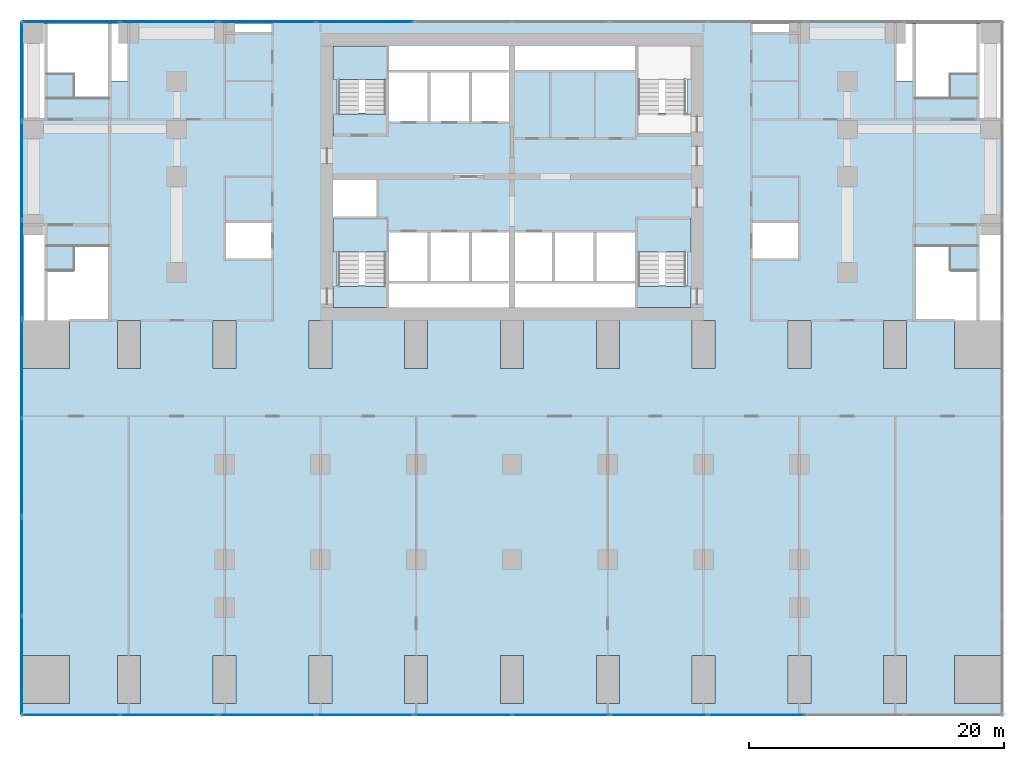
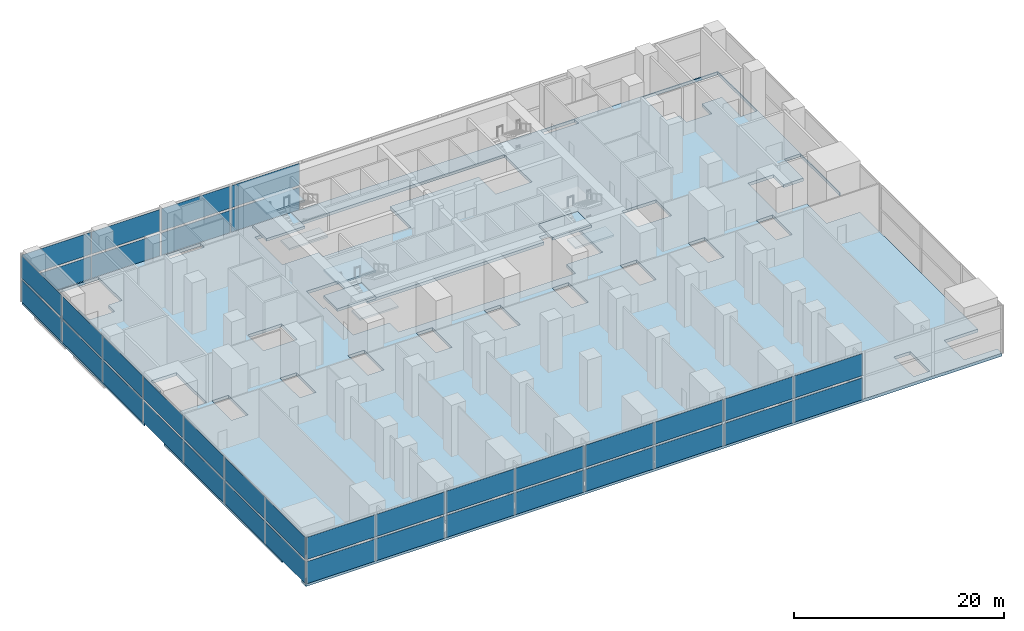
# One storey, part 6 of 14: 38 plates, 9 slabs, 23 elements without a shape of their own.
"""IFC4 building model written with IfcOpenShell, lengths in metres."""

from ifc_helpers import new_model, si_unit, direction, frame, origin, origin_2d, place, context, subcontext, project, spatial, polyline, rectangle, outline, extrude, material, layer, layer_set, type_object, element, aggregate, save


model = new_model("IFC4")

# Units and contexts
model_context = context("Model", 3, precision=1e-05, world=origin(), true_north=direction((0.0, 1.0)))
body_context = subcontext(model_context, "Body", "Model", "MODEL_VIEW")
ifc_project = project(units=[si_unit("LENGTHUNIT", "METRE"), si_unit("AREAUNIT", "SQUARE_METRE"), si_unit("VOLUMEUNIT", "CUBIC_METRE"), si_unit("PLANEANGLEUNIT", "RADIAN"), si_unit("MASSUNIT", "GRAM", prefix="KILO")], contexts=[model_context])

# Site, building, storey
site_placement = place(None, origin())
site = spatial("IfcSite", under=ifc_project, at=site_placement, CompositionType="ELEMENT")
building_placement = place(site_placement, origin())
building = spatial("IfcBuilding", under=site, at=building_placement, Name="Pilkhan Gate Tower", CompositionType="ELEMENT")
storey_placement = place(building_placement, frame((0.0, 0.0, 24.0)))
storey = spatial("IfcBuildingStorey", under=building, at=storey_placement, Name="L03", CompositionType="ELEMENT", Elevation=24.0)

# Slab
ifc_material_1 = material(Name="Concrete C40/50", Category="concrete")
ifc_layer_1 = layer(ifc_material_1, 0.35009765625)
ifc_layer_set_1 = layer_set([ifc_layer_1], Name="Flat plate slab FP350")
slab_type_1 = type_object("IfcSlabType", Name="Flat plate slab FP350", PredefinedType="FLOOR", material=ifc_layer_set_1)
slab_1_placement = place(storey_placement, frame((0.0, 0.0, -0.35009765625)))
element("IfcSlab", 1, at=slab_1_placement, inside=storey, type_object=slab_type_1, Name="Floor slab L03", PredefinedType="FLOOR", context=body_context, shape_type="SweptSolid", body=[
    extrude(outline(polyline([(36.64990234375, 40.39990234375), (36.64990234375, 41.25), (40.35009765625, 41.25), (40.35009765625, 45.0), (36.64990234375, 45.0), (36.64990234375, 67.5), (40.35009765625, 67.5), (40.35009765625, 71.25), (40.699951171875, 71.25), (43.5, 71.25), (43.5, 77.0), (40.699951171875, 77.0), (40.699951171875, 75.10009765625), (38.5, 75.10009765625), (38.5, 78.75), (36.735107421875, 78.75), (36.735107421875, 71.25), (36.64990234375, 71.25), (36.64990234375, 94.60009765625), (113.35009765625, 94.60009765625), (113.35009765625, 71.25), (113.264892578125, 71.25), (113.264892578125, 78.75), (111.5, 78.75), (111.5, 75.10009765625), (109.300048828125, 75.10009765625), (109.300048828125, 77.0), (106.5, 77.0), (106.5, 71.25), (109.300048828125, 71.25), (109.64990234375, 71.25), (109.64990234375, 67.5), (113.35009765625, 67.5), (113.35009765625, 45.0), (109.64990234375, 45.0), (109.64990234375, 41.25), (113.35009765625, 41.25), (113.35009765625, 40.39990234375), (36.64990234375, 40.39990234375)]), holes=[polyline([(109.300048828125, 94.5), (106.5, 94.5), (106.5, 94.514892578125), (105.0, 94.514892578125), (105.0, 90.0), (106.5, 90.0), (106.5, 88.75), (109.300048828125, 88.75), (109.300048828125, 90.64990234375), (111.5, 90.64990234375), (111.5, 87.0), (113.264892578125, 87.0), (113.264892578125, 94.5), (111.5, 94.5), (109.300048828125, 94.5)]), polyline([(105.89990234375, 71.25), (104.10009765625, 71.25), (104.10009765625, 67.5), (105.89990234375, 67.5), (105.89990234375, 71.25)]), polyline([(105.89990234375, 41.25), (105.89990234375, 45.0), (104.10009765625, 45.0), (104.10009765625, 41.25), (105.89990234375, 41.25)]), polyline([(98.39990234375, 67.5), (98.39990234375, 71.25), (96.60009765625, 71.25), (96.60009765625, 67.5), (98.39990234375, 67.5)]), polyline([(98.39990234375, 41.25), (98.39990234375, 45.0), (96.60009765625, 45.0), (96.60009765625, 41.25), (98.39990234375, 41.25)]), polyline([(97.5, 76.0), (97.5, 79.0), (93.75, 79.0), (93.75, 76.0), (97.5, 76.0)]), polyline([(90.89990234375, 45.0), (89.10009765625, 45.0), (89.10009765625, 41.25), (90.89990234375, 41.25), (90.89990234375, 45.0)]), polyline([(90.89990234375, 67.5), (90.89990234375, 71.25), (89.10009765625, 71.25), (89.10009765625, 67.5), (90.89990234375, 67.5)]), polyline([(65.25, 74.0), (65.25, 72.25), (75.0, 72.25), (84.75, 72.25), (84.75, 74.0), (88.75, 74.0), (88.75, 79.25), (84.75, 79.25), (84.75, 78.25), (81.5, 78.25), (78.25, 78.25), (75.0, 78.25), (71.75, 78.25), (68.5, 78.25), (65.25, 78.25), (65.25, 79.25), (64.5, 79.25), (64.5, 82.5), (61.25, 82.5), (61.0, 82.5), (61.0, 79.25), (61.25, 79.25), (61.25, 74.0), (65.25, 74.0)]), polyline([(65.25, 87.5), (65.25, 86.75), (68.5, 86.75), (71.75, 86.75), (75.0, 86.75), (75.0, 90.75), (84.75, 90.75), (84.75, 87.5), (88.75, 87.5), (88.75, 92.75), (84.75, 92.75), (75.0, 92.75), (65.25, 92.75), (61.25, 92.75), (61.25, 87.5), (65.25, 87.5)]), polyline([(83.39990234375, 67.5), (83.39990234375, 71.25), (81.60009765625, 71.25), (81.60009765625, 67.5), (83.39990234375, 67.5)]), polyline([(83.39990234375, 41.25), (83.39990234375, 45.0), (81.60009765625, 45.0), (81.60009765625, 41.25), (83.39990234375, 41.25)]), polyline([(75.89990234375, 41.25), (75.89990234375, 45.0), (74.10009765625, 45.0), (74.10009765625, 41.25), (75.89990234375, 41.25)]), polyline([(75.89990234375, 67.5), (75.89990234375, 71.25), (74.10009765625, 71.25), (74.10009765625, 67.5), (75.89990234375, 67.5)]), polyline([(68.39990234375, 45.0), (66.60009765625, 45.0), (66.60009765625, 41.25), (68.39990234375, 41.25), (68.39990234375, 45.0)]), polyline([(68.39990234375, 67.5), (68.39990234375, 71.25), (66.60009765625, 71.25), (66.60009765625, 67.5), (68.39990234375, 67.5)]), polyline([(60.89990234375, 67.5), (60.89990234375, 71.25), (59.10009765625, 71.25), (59.10009765625, 67.5), (60.89990234375, 67.5)]), polyline([(60.89990234375, 41.25), (60.89990234375, 45.0), (59.10009765625, 45.0), (59.10009765625, 41.25), (60.89990234375, 41.25)]), polyline([(56.25, 79.0), (52.5, 79.0), (52.5, 76.0), (56.25, 76.0), (56.25, 79.0)]), polyline([(53.39990234375, 67.5), (53.39990234375, 71.25), (51.60009765625, 71.25), (51.60009765625, 67.5), (53.39990234375, 67.5)]), polyline([(53.39990234375, 41.25), (53.39990234375, 45.0), (51.60009765625, 45.0), (51.60009765625, 41.25), (53.39990234375, 41.25)]), polyline([(45.89990234375, 45.0), (44.10009765625, 45.0), (44.10009765625, 41.25), (45.89990234375, 41.25), (45.89990234375, 45.0)]), polyline([(45.89990234375, 67.5), (45.89990234375, 71.25), (44.10009765625, 71.25), (44.10009765625, 67.5), (45.89990234375, 67.5)]), polyline([(40.699951171875, 88.75), (43.5, 88.75), (43.5, 90.0), (45.0, 90.0), (45.0, 94.514892578125), (43.5, 94.514892578125), (43.5, 94.5), (40.699951171875, 94.5), (38.5, 94.5), (36.735107421875, 94.5), (36.735107421875, 87.0), (38.5, 87.0), (38.5, 90.64990234375), (40.699951171875, 90.64990234375), (40.699951171875, 88.75)]), polyline([(52.5, 93.75), (56.25, 93.75), (56.25, 94.514892578125), (52.5, 94.514892578125), (52.5, 93.75)]), polyline([(93.75, 93.75), (97.5, 93.75), (97.5, 94.514892578125), (93.75, 94.514892578125), (93.75, 93.75)])]), origin(), (0.0, 0.0, 1.0), 0.35009765625),
])

# Curtain wall, plates
ifc_material_2 = material(Name="Pale anodised aluminium, clear low-iron laminated glazing", Category="aluminium")
curtain_wall_type = type_object("IfcCurtainWallType", Name="Podium unitised curtain wall CW-P", PredefinedType="USERDEFINED", material=ifc_material_2)
curtain_wall_1_placement = place(storey_placement, origin())
curtain_wall_1 = element("IfcCurtainWall", 2, at=curtain_wall_1_placement, inside=storey, type_object=curtain_wall_type, Name="Podium unitised curtain wall CW-P L03 N", ObjectType="UNITISED CURTAIN WALL", PredefinedType="USERDEFINED")
ifc_material_3 = material(Name="Clear low-iron laminated glazing", Category="glass")
ifc_layer_2 = layer(ifc_material_3, 0.048095703125)
ifc_layer_set_2 = layer_set([ifc_layer_2], Name="Glass panel CW-P 48")
plate_type = type_object("IfcPlateType", Name="Glass panel CW-P 48", PredefinedType="CURTAIN_PANEL", material=ifc_layer_set_2)
plate_1_placement = place(storey_placement, frame((40.464599609375, 94.64501953125, 0.0), z_axis=(0.0, 0.0, 1.0), x_axis=(1.0, 0.0, 0.0)))
plate_1 = element("IfcPlate", 3, at=plate_1_placement, type_object=plate_type, Name="CW-P panel 1", PredefinedType="CURTAIN_PANEL", context=body_context, shape_type="SweptSolid", body=[
    extrude(rectangle(XDim=7.55908203125, YDim=0.048095703125, at=origin_2d()), origin(), (0.0, 0.0, 1.0), 2.574951171875),
])
plate_2_placement = place(storey_placement, frame((48.103515625, 94.64501953125, 0.0), z_axis=(0.0, 0.0, 1.0), x_axis=(1.0, 0.0, 0.0)))
plate_2 = element("IfcPlate", 4, at=plate_2_placement, type_object=plate_type, Name="CW-P panel 2", PredefinedType="CURTAIN_PANEL", context=body_context, shape_type="SweptSolid", body=[
    extrude(rectangle(XDim=7.55908203125, YDim=0.048095703125, at=origin_2d()), origin(), (0.0, 0.0, 1.0), 2.574951171875),
])
aggregate(curtain_wall_1, [plate_1, plate_2])

curtain_wall_2_placement = place(storey_placement, origin())
curtain_wall_2 = element("IfcCurtainWall", 5, at=curtain_wall_2_placement, inside=storey, type_object=curtain_wall_type, Name="Podium unitised curtain wall CW-P L03 N", ObjectType="UNITISED CURTAIN WALL", PredefinedType="USERDEFINED")
plate_3_placement = place(storey_placement, frame((55.822509765625, 94.64501953125, 0.0), z_axis=(0.0, 0.0, 1.0), x_axis=(1.0, 0.0, 0.0)))
plate_3 = element("IfcPlate", 6, at=plate_3_placement, type_object=plate_type, Name="CW-P panel 1", PredefinedType="CURTAIN_PANEL", context=body_context, shape_type="SweptSolid", body=[
    extrude(rectangle(XDim=7.55908203125, YDim=0.048095703125, at=origin_2d()), origin(), (0.0, 0.0, 1.0), 2.574951171875),
])
plate_4_placement = place(storey_placement, frame((63.46142578125, 94.64501953125, 0.0), z_axis=(0.0, 0.0, 1.0), x_axis=(1.0, 0.0, 0.0)))
plate_4 = element("IfcPlate", 7, at=plate_4_placement, type_object=plate_type, Name="CW-P panel 2", PredefinedType="CURTAIN_PANEL", context=body_context, shape_type="SweptSolid", body=[
    extrude(rectangle(XDim=7.55908203125, YDim=0.048095703125, at=origin_2d()), origin(), (0.0, 0.0, 1.0), 2.574951171875),
])
aggregate(curtain_wall_2, [plate_3, plate_4])

curtain_wall_3_placement = place(storey_placement, origin())
curtain_wall_3 = element("IfcCurtainWall", 8, at=curtain_wall_3_placement, inside=storey, type_object=curtain_wall_type, Name="Podium unitised curtain wall CW-P L03 N", ObjectType="UNITISED CURTAIN WALL", PredefinedType="USERDEFINED")
plate_5_placement = place(storey_placement, frame((40.464599609375, 94.64501953125, 2.8251953125), z_axis=(0.0, 0.0, 1.0), x_axis=(1.0, 0.0, 0.0)))
plate_5 = element("IfcPlate", 9, at=plate_5_placement, type_object=plate_type, Name="CW-P panel 1", PredefinedType="CURTAIN_PANEL", context=body_context, shape_type="SweptSolid", body=[
    extrude(rectangle(XDim=7.55908203125, YDim=0.048095703125, at=origin_2d()), origin(), (0.0, 0.0, 1.0), 2.574951171875),
])
plate_6_placement = place(storey_placement, frame((48.103515625, 94.64501953125, 2.8251953125), z_axis=(0.0, 0.0, 1.0), x_axis=(1.0, 0.0, 0.0)))
plate_6 = element("IfcPlate", 10, at=plate_6_placement, type_object=plate_type, Name="CW-P panel 2", PredefinedType="CURTAIN_PANEL", context=body_context, shape_type="SweptSolid", body=[
    extrude(rectangle(XDim=7.55908203125, YDim=0.048095703125, at=origin_2d()), origin(), (0.0, 0.0, 1.0), 2.574951171875),
])
aggregate(curtain_wall_3, [plate_5, plate_6])

curtain_wall_4_placement = place(storey_placement, origin())
curtain_wall_4 = element("IfcCurtainWall", 11, at=curtain_wall_4_placement, inside=storey, type_object=curtain_wall_type, Name="Podium unitised curtain wall CW-P L03 N", ObjectType="UNITISED CURTAIN WALL", PredefinedType="USERDEFINED")
plate_7_placement = place(storey_placement, frame((55.822509765625, 94.64501953125, 2.8251953125), z_axis=(0.0, 0.0, 1.0), x_axis=(1.0, 0.0, 0.0)))
plate_7 = element("IfcPlate", 12, at=plate_7_placement, type_object=plate_type, Name="CW-P panel 1", PredefinedType="CURTAIN_PANEL", context=body_context, shape_type="SweptSolid", body=[
    extrude(rectangle(XDim=7.55908203125, YDim=0.048095703125, at=origin_2d()), origin(), (0.0, 0.0, 1.0), 2.574951171875),
])
plate_8_placement = place(storey_placement, frame((63.46142578125, 94.64501953125, 2.8251953125), z_axis=(0.0, 0.0, 1.0), x_axis=(1.0, 0.0, 0.0)))
plate_8 = element("IfcPlate", 13, at=plate_8_placement, type_object=plate_type, Name="CW-P panel 2", PredefinedType="CURTAIN_PANEL", context=body_context, shape_type="SweptSolid", body=[
    extrude(rectangle(XDim=7.55908203125, YDim=0.048095703125, at=origin_2d()), origin(), (0.0, 0.0, 1.0), 2.574951171875),
])
aggregate(curtain_wall_4, [plate_7, plate_8])

curtain_wall_5_placement = place(storey_placement, origin())
curtain_wall_5 = element("IfcCurtainWall", 14, at=curtain_wall_5_placement, inside=storey, type_object=curtain_wall_type, Name="Podium unitised curtain wall CW-P L03 W", ObjectType="UNITISED CURTAIN WALL", PredefinedType="USERDEFINED")
plate_9_placement = place(storey_placement, frame((36.60498046875, 44.2529296875, 0.0), z_axis=(0.0, 0.0, 1.0), x_axis=(0.0, 1.0, 0.0)))
plate_9 = element("IfcPlate", 15, at=plate_9_placement, type_object=plate_type, Name="CW-P panel 1", PredefinedType="CURTAIN_PANEL", context=body_context, shape_type="SweptSolid", body=[
    extrude(rectangle(XDim=7.6357421875, YDim=0.048095703125, at=origin_2d()), origin(), (0.0, 0.0, 1.0), 2.574951171875),
])
plate_10_placement = place(storey_placement, frame((36.60498046875, 51.968505859375, 0.0), z_axis=(0.0, 0.0, 1.0), x_axis=(0.0, 1.0, 0.0)))
plate_10 = element("IfcPlate", 16, at=plate_10_placement, type_object=plate_type, Name="CW-P panel 2", PredefinedType="CURTAIN_PANEL", context=body_context, shape_type="SweptSolid", body=[
    extrude(rectangle(XDim=7.6357421875, YDim=0.048095703125, at=origin_2d()), origin(), (0.0, 0.0, 1.0), 2.574951171875),
])
aggregate(curtain_wall_5, [plate_9, plate_10])

curtain_wall_6_placement = place(storey_placement, origin())
curtain_wall_6 = element("IfcCurtainWall", 17, at=curtain_wall_6_placement, inside=storey, type_object=curtain_wall_type, Name="Podium unitised curtain wall CW-P L03 W", ObjectType="UNITISED CURTAIN WALL", PredefinedType="USERDEFINED")
plate_11_placement = place(storey_placement, frame((36.60498046875, 59.764404296875, 0.0), z_axis=(0.0, 0.0, 1.0), x_axis=(0.0, 1.0, 0.0)))
plate_11 = element("IfcPlate", 18, at=plate_11_placement, type_object=plate_type, Name="CW-P panel 1", PredefinedType="CURTAIN_PANEL", context=body_context, shape_type="SweptSolid", body=[
    extrude(rectangle(XDim=7.6357421875, YDim=0.048095703125, at=origin_2d()), origin(), (0.0, 0.0, 1.0), 2.574951171875),
])
plate_12_placement = place(storey_placement, frame((36.60498046875, 67.47998046875, 0.0), z_axis=(0.0, 0.0, 1.0), x_axis=(0.0, 1.0, 0.0)))
plate_12 = element("IfcPlate", 19, at=plate_12_placement, type_object=plate_type, Name="CW-P panel 2", PredefinedType="CURTAIN_PANEL", context=body_context, shape_type="SweptSolid", body=[
    extrude(rectangle(XDim=7.6357421875, YDim=0.048095703125, at=origin_2d()), origin(), (0.0, 0.0, 1.0), 2.574951171875),
])
aggregate(curtain_wall_6, [plate_11, plate_12])

curtain_wall_7_placement = place(storey_placement, origin())
curtain_wall_7 = element("IfcCurtainWall", 20, at=curtain_wall_7_placement, inside=storey, type_object=curtain_wall_type, Name="Podium unitised curtain wall CW-P L03 W", ObjectType="UNITISED CURTAIN WALL", PredefinedType="USERDEFINED")
plate_13_placement = place(storey_placement, frame((36.60498046875, 75.275634765625, 0.0), z_axis=(0.0, 0.0, 1.0), x_axis=(0.0, 1.0, 0.0)))
plate_13 = element("IfcPlate", 21, at=plate_13_placement, type_object=plate_type, Name="CW-P panel 1", PredefinedType="CURTAIN_PANEL", context=body_context, shape_type="SweptSolid", body=[
    extrude(rectangle(XDim=7.6357421875, YDim=0.048095703125, at=origin_2d()), origin(), (0.0, 0.0, 1.0), 2.574951171875),
])
plate_14_placement = place(storey_placement, frame((36.60498046875, 82.991455078125, 0.0), z_axis=(0.0, 0.0, 1.0), x_axis=(0.0, 1.0, 0.0)))
plate_14 = element("IfcPlate", 22, at=plate_14_placement, type_object=plate_type, Name="CW-P panel 2", PredefinedType="CURTAIN_PANEL", context=body_context, shape_type="SweptSolid", body=[
    extrude(rectangle(XDim=7.6357421875, YDim=0.048095703125, at=origin_2d()), origin(), (0.0, 0.0, 1.0), 2.574951171875),
])
aggregate(curtain_wall_7, [plate_13, plate_14])

# Curtain wall, plate
curtain_wall_8_placement = place(storey_placement, origin())
curtain_wall_8 = element("IfcCurtainWall", 23, at=curtain_wall_8_placement, inside=storey, type_object=curtain_wall_type, Name="Podium unitised curtain wall CW-P L03 W", ObjectType="UNITISED CURTAIN WALL", PredefinedType="USERDEFINED")
plate_15_placement = place(storey_placement, frame((36.60498046875, 90.76708984375, 0.0), z_axis=(0.0, 0.0, 1.0), x_axis=(0.0, 1.0, 0.0)))
plate_15 = element("IfcPlate", 24, at=plate_15_placement, type_object=plate_type, Name="CW-P panel 1", PredefinedType="CURTAIN_PANEL", context=body_context, shape_type="SweptSolid", body=[
    extrude(rectangle(XDim=7.595703125, YDim=0.048095703125, at=origin_2d()), origin(), (0.0, 0.0, 1.0), 2.574951171875),
])
aggregate(curtain_wall_8, [plate_15])

# Curtain wall, plates
curtain_wall_9_placement = place(storey_placement, origin())
curtain_wall_9 = element("IfcCurtainWall", 25, at=curtain_wall_9_placement, inside=storey, type_object=curtain_wall_type, Name="Podium unitised curtain wall CW-P L03 W", ObjectType="UNITISED CURTAIN WALL", PredefinedType="USERDEFINED")
plate_16_placement = place(storey_placement, frame((36.60498046875, 44.2529296875, 2.8251953125), z_axis=(0.0, 0.0, 1.0), x_axis=(0.0, 1.0, 0.0)))
plate_16 = element("IfcPlate", 26, at=plate_16_placement, type_object=plate_type, Name="CW-P panel 1", PredefinedType="CURTAIN_PANEL", context=body_context, shape_type="SweptSolid", body=[
    extrude(rectangle(XDim=7.6357421875, YDim=0.048095703125, at=origin_2d()), origin(), (0.0, 0.0, 1.0), 2.574951171875),
])
plate_17_placement = place(storey_placement, frame((36.60498046875, 51.968505859375, 2.8251953125), z_axis=(0.0, 0.0, 1.0), x_axis=(0.0, 1.0, 0.0)))
plate_17 = element("IfcPlate", 27, at=plate_17_placement, type_object=plate_type, Name="CW-P panel 2", PredefinedType="CURTAIN_PANEL", context=body_context, shape_type="SweptSolid", body=[
    extrude(rectangle(XDim=7.6357421875, YDim=0.048095703125, at=origin_2d()), origin(), (0.0, 0.0, 1.0), 2.574951171875),
])
aggregate(curtain_wall_9, [plate_16, plate_17])

curtain_wall_10_placement = place(storey_placement, origin())
curtain_wall_10 = element("IfcCurtainWall", 28, at=curtain_wall_10_placement, inside=storey, type_object=curtain_wall_type, Name="Podium unitised curtain wall CW-P L03 W", ObjectType="UNITISED CURTAIN WALL", PredefinedType="USERDEFINED")
plate_18_placement = place(storey_placement, frame((36.60498046875, 59.764404296875, 2.8251953125), z_axis=(0.0, 0.0, 1.0), x_axis=(0.0, 1.0, 0.0)))
plate_18 = element("IfcPlate", 29, at=plate_18_placement, type_object=plate_type, Name="CW-P panel 1", PredefinedType="CURTAIN_PANEL", context=body_context, shape_type="SweptSolid", body=[
    extrude(rectangle(XDim=7.6357421875, YDim=0.048095703125, at=origin_2d()), origin(), (0.0, 0.0, 1.0), 2.574951171875),
])
plate_19_placement = place(storey_placement, frame((36.60498046875, 67.47998046875, 2.8251953125), z_axis=(0.0, 0.0, 1.0), x_axis=(0.0, 1.0, 0.0)))
plate_19 = element("IfcPlate", 30, at=plate_19_placement, type_object=plate_type, Name="CW-P panel 2", PredefinedType="CURTAIN_PANEL", context=body_context, shape_type="SweptSolid", body=[
    extrude(rectangle(XDim=7.6357421875, YDim=0.048095703125, at=origin_2d()), origin(), (0.0, 0.0, 1.0), 2.574951171875),
])
aggregate(curtain_wall_10, [plate_18, plate_19])

curtain_wall_11_placement = place(storey_placement, origin())
curtain_wall_11 = element("IfcCurtainWall", 31, at=curtain_wall_11_placement, inside=storey, type_object=curtain_wall_type, Name="Podium unitised curtain wall CW-P L03 W", ObjectType="UNITISED CURTAIN WALL", PredefinedType="USERDEFINED")
plate_20_placement = place(storey_placement, frame((36.60498046875, 75.275634765625, 2.8251953125), z_axis=(0.0, 0.0, 1.0), x_axis=(0.0, 1.0, 0.0)))
plate_20 = element("IfcPlate", 32, at=plate_20_placement, type_object=plate_type, Name="CW-P panel 1", PredefinedType="CURTAIN_PANEL", context=body_context, shape_type="SweptSolid", body=[
    extrude(rectangle(XDim=7.6357421875, YDim=0.048095703125, at=origin_2d()), origin(), (0.0, 0.0, 1.0), 2.574951171875),
])
plate_21_placement = place(storey_placement, frame((36.60498046875, 82.991455078125, 2.8251953125), z_axis=(0.0, 0.0, 1.0), x_axis=(0.0, 1.0, 0.0)))
plate_21 = element("IfcPlate", 33, at=plate_21_placement, type_object=plate_type, Name="CW-P panel 2", PredefinedType="CURTAIN_PANEL", context=body_context, shape_type="SweptSolid", body=[
    extrude(rectangle(XDim=7.6357421875, YDim=0.048095703125, at=origin_2d()), origin(), (0.0, 0.0, 1.0), 2.574951171875),
])
aggregate(curtain_wall_11, [plate_20, plate_21])

# Curtain wall, plate
curtain_wall_12_placement = place(storey_placement, origin())
curtain_wall_12 = element("IfcCurtainWall", 34, at=curtain_wall_12_placement, inside=storey, type_object=curtain_wall_type, Name="Podium unitised curtain wall CW-P L03 W", ObjectType="UNITISED CURTAIN WALL", PredefinedType="USERDEFINED")
plate_22_placement = place(storey_placement, frame((36.60498046875, 90.76708984375, 2.8251953125), z_axis=(0.0, 0.0, 1.0), x_axis=(0.0, 1.0, 0.0)))
plate_22 = element("IfcPlate", 35, at=plate_22_placement, type_object=plate_type, Name="CW-P panel 1", PredefinedType="CURTAIN_PANEL", context=body_context, shape_type="SweptSolid", body=[
    extrude(rectangle(XDim=7.595703125, YDim=0.048095703125, at=origin_2d()), origin(), (0.0, 0.0, 1.0), 2.574951171875),
])
aggregate(curtain_wall_12, [plate_22])

# Curtain wall, plates
curtain_wall_13_placement = place(storey_placement, origin())
curtain_wall_13 = element("IfcCurtainWall", 36, at=curtain_wall_13_placement, inside=storey, type_object=curtain_wall_type, Name="Podium unitised curtain wall CW-P L03 S", ObjectType="UNITISED CURTAIN WALL", PredefinedType="USERDEFINED")
plate_23_placement = place(storey_placement, frame((40.464599609375, 40.35498046875, 0.0), z_axis=(0.0, 0.0, 1.0), x_axis=(1.0, 0.0, 0.0)))
plate_23 = element("IfcPlate", 37, at=plate_23_placement, type_object=plate_type, Name="CW-P panel 1", PredefinedType="CURTAIN_PANEL", context=body_context, shape_type="SweptSolid", body=[
    extrude(rectangle(XDim=7.55908203125, YDim=0.048095703125, at=origin_2d()), origin(), (0.0, 0.0, 1.0), 2.574951171875),
])
plate_24_placement = place(storey_placement, frame((48.103515625, 40.35498046875, 0.0), z_axis=(0.0, 0.0, 1.0), x_axis=(1.0, 0.0, 0.0)))
plate_24 = element("IfcPlate", 38, at=plate_24_placement, type_object=plate_type, Name="CW-P panel 2", PredefinedType="CURTAIN_PANEL", context=body_context, shape_type="SweptSolid", body=[
    extrude(rectangle(XDim=7.55908203125, YDim=0.048095703125, at=origin_2d()), origin(), (0.0, 0.0, 1.0), 2.574951171875),
])
aggregate(curtain_wall_13, [plate_23, plate_24])

curtain_wall_14_placement = place(storey_placement, origin())
curtain_wall_14 = element("IfcCurtainWall", 39, at=curtain_wall_14_placement, inside=storey, type_object=curtain_wall_type, Name="Podium unitised curtain wall CW-P L03 S", ObjectType="UNITISED CURTAIN WALL", PredefinedType="USERDEFINED")
plate_25_placement = place(storey_placement, frame((55.822509765625, 40.35498046875, 0.0), z_axis=(0.0, 0.0, 1.0), x_axis=(1.0, 0.0, 0.0)))
plate_25 = element("IfcPlate", 40, at=plate_25_placement, type_object=plate_type, Name="CW-P panel 1", PredefinedType="CURTAIN_PANEL", context=body_context, shape_type="SweptSolid", body=[
    extrude(rectangle(XDim=7.55908203125, YDim=0.048095703125, at=origin_2d()), origin(), (0.0, 0.0, 1.0), 2.574951171875),
])
plate_26_placement = place(storey_placement, frame((63.46142578125, 40.35498046875, 0.0), z_axis=(0.0, 0.0, 1.0), x_axis=(1.0, 0.0, 0.0)))
plate_26 = element("IfcPlate", 41, at=plate_26_placement, type_object=plate_type, Name="CW-P panel 2", PredefinedType="CURTAIN_PANEL", context=body_context, shape_type="SweptSolid", body=[
    extrude(rectangle(XDim=7.55908203125, YDim=0.048095703125, at=origin_2d()), origin(), (0.0, 0.0, 1.0), 2.574951171875),
])
aggregate(curtain_wall_14, [plate_25, plate_26])

curtain_wall_15_placement = place(storey_placement, origin())
curtain_wall_15 = element("IfcCurtainWall", 42, at=curtain_wall_15_placement, inside=storey, type_object=curtain_wall_type, Name="Podium unitised curtain wall CW-P L03 S", ObjectType="UNITISED CURTAIN WALL", PredefinedType="USERDEFINED")
plate_27_placement = place(storey_placement, frame((71.180419921875, 40.35498046875, 0.0), z_axis=(0.0, 0.0, 1.0), x_axis=(1.0, 0.0, 0.0)))
plate_27 = element("IfcPlate", 43, at=plate_27_placement, type_object=plate_type, Name="CW-P panel 1", PredefinedType="CURTAIN_PANEL", context=body_context, shape_type="SweptSolid", body=[
    extrude(rectangle(XDim=7.55908203125, YDim=0.048095703125, at=origin_2d()), origin(), (0.0, 0.0, 1.0), 2.574951171875),
])
plate_28_placement = place(storey_placement, frame((78.819580078125, 40.35498046875, 0.0), z_axis=(0.0, 0.0, 1.0), x_axis=(1.0, 0.0, 0.0)))
plate_28 = element("IfcPlate", 44, at=plate_28_placement, type_object=plate_type, Name="CW-P panel 2", PredefinedType="CURTAIN_PANEL", context=body_context, shape_type="SweptSolid", body=[
    extrude(rectangle(XDim=7.55908203125, YDim=0.048095703125, at=origin_2d()), origin(), (0.0, 0.0, 1.0), 2.574951171875),
])
aggregate(curtain_wall_15, [plate_27, plate_28])

curtain_wall_16_placement = place(storey_placement, origin())
curtain_wall_16 = element("IfcCurtainWall", 45, at=curtain_wall_16_placement, inside=storey, type_object=curtain_wall_type, Name="Podium unitised curtain wall CW-P L03 S", ObjectType="UNITISED CURTAIN WALL", PredefinedType="USERDEFINED")
plate_29_placement = place(storey_placement, frame((86.53857421875, 40.35498046875, 0.0), z_axis=(0.0, 0.0, 1.0), x_axis=(1.0, 0.0, 0.0)))
plate_29 = element("IfcPlate", 46, at=plate_29_placement, type_object=plate_type, Name="CW-P panel 1", PredefinedType="CURTAIN_PANEL", context=body_context, shape_type="SweptSolid", body=[
    extrude(rectangle(XDim=7.55908203125, YDim=0.048095703125, at=origin_2d()), origin(), (0.0, 0.0, 1.0), 2.574951171875),
])
plate_30_placement = place(storey_placement, frame((94.177490234375, 40.35498046875, 0.0), z_axis=(0.0, 0.0, 1.0), x_axis=(1.0, 0.0, 0.0)))
plate_30 = element("IfcPlate", 47, at=plate_30_placement, type_object=plate_type, Name="CW-P panel 2", PredefinedType="CURTAIN_PANEL", context=body_context, shape_type="SweptSolid", body=[
    extrude(rectangle(XDim=7.55908203125, YDim=0.048095703125, at=origin_2d()), origin(), (0.0, 0.0, 1.0), 2.574951171875),
])
aggregate(curtain_wall_16, [plate_29, plate_30])

curtain_wall_17_placement = place(storey_placement, origin())
curtain_wall_17 = element("IfcCurtainWall", 48, at=curtain_wall_17_placement, inside=storey, type_object=curtain_wall_type, Name="Podium unitised curtain wall CW-P L03 S", ObjectType="UNITISED CURTAIN WALL", PredefinedType="USERDEFINED")
plate_31_placement = place(storey_placement, frame((40.464599609375, 40.35498046875, 2.8251953125), z_axis=(0.0, 0.0, 1.0), x_axis=(1.0, 0.0, 0.0)))
plate_31 = element("IfcPlate", 49, at=plate_31_placement, type_object=plate_type, Name="CW-P panel 1", PredefinedType="CURTAIN_PANEL", context=body_context, shape_type="SweptSolid", body=[
    extrude(rectangle(XDim=7.55908203125, YDim=0.048095703125, at=origin_2d()), origin(), (0.0, 0.0, 1.0), 2.574951171875),
])
plate_32_placement = place(storey_placement, frame((48.103515625, 40.35498046875, 2.8251953125), z_axis=(0.0, 0.0, 1.0), x_axis=(1.0, 0.0, 0.0)))
plate_32 = element("IfcPlate", 50, at=plate_32_placement, type_object=plate_type, Name="CW-P panel 2", PredefinedType="CURTAIN_PANEL", context=body_context, shape_type="SweptSolid", body=[
    extrude(rectangle(XDim=7.55908203125, YDim=0.048095703125, at=origin_2d()), origin(), (0.0, 0.0, 1.0), 2.574951171875),
])
aggregate(curtain_wall_17, [plate_31, plate_32])

curtain_wall_18_placement = place(storey_placement, origin())
curtain_wall_18 = element("IfcCurtainWall", 51, at=curtain_wall_18_placement, inside=storey, type_object=curtain_wall_type, Name="Podium unitised curtain wall CW-P L03 S", ObjectType="UNITISED CURTAIN WALL", PredefinedType="USERDEFINED")
plate_33_placement = place(storey_placement, frame((55.822509765625, 40.35498046875, 2.8251953125), z_axis=(0.0, 0.0, 1.0), x_axis=(1.0, 0.0, 0.0)))
plate_33 = element("IfcPlate", 52, at=plate_33_placement, type_object=plate_type, Name="CW-P panel 1", PredefinedType="CURTAIN_PANEL", context=body_context, shape_type="SweptSolid", body=[
    extrude(rectangle(XDim=7.55908203125, YDim=0.048095703125, at=origin_2d()), origin(), (0.0, 0.0, 1.0), 2.574951171875),
])
plate_34_placement = place(storey_placement, frame((63.46142578125, 40.35498046875, 2.8251953125), z_axis=(0.0, 0.0, 1.0), x_axis=(1.0, 0.0, 0.0)))
plate_34 = element("IfcPlate", 53, at=plate_34_placement, type_object=plate_type, Name="CW-P panel 2", PredefinedType="CURTAIN_PANEL", context=body_context, shape_type="SweptSolid", body=[
    extrude(rectangle(XDim=7.55908203125, YDim=0.048095703125, at=origin_2d()), origin(), (0.0, 0.0, 1.0), 2.574951171875),
])
aggregate(curtain_wall_18, [plate_33, plate_34])

curtain_wall_19_placement = place(storey_placement, origin())
curtain_wall_19 = element("IfcCurtainWall", 54, at=curtain_wall_19_placement, inside=storey, type_object=curtain_wall_type, Name="Podium unitised curtain wall CW-P L03 S", ObjectType="UNITISED CURTAIN WALL", PredefinedType="USERDEFINED")
plate_35_placement = place(storey_placement, frame((71.180419921875, 40.35498046875, 2.8251953125), z_axis=(0.0, 0.0, 1.0), x_axis=(1.0, 0.0, 0.0)))
plate_35 = element("IfcPlate", 55, at=plate_35_placement, type_object=plate_type, Name="CW-P panel 1", PredefinedType="CURTAIN_PANEL", context=body_context, shape_type="SweptSolid", body=[
    extrude(rectangle(XDim=7.55908203125, YDim=0.048095703125, at=origin_2d()), origin(), (0.0, 0.0, 1.0), 2.574951171875),
])
plate_36_placement = place(storey_placement, frame((78.819580078125, 40.35498046875, 2.8251953125), z_axis=(0.0, 0.0, 1.0), x_axis=(1.0, 0.0, 0.0)))
plate_36 = element("IfcPlate", 56, at=plate_36_placement, type_object=plate_type, Name="CW-P panel 2", PredefinedType="CURTAIN_PANEL", context=body_context, shape_type="SweptSolid", body=[
    extrude(rectangle(XDim=7.55908203125, YDim=0.048095703125, at=origin_2d()), origin(), (0.0, 0.0, 1.0), 2.574951171875),
])
aggregate(curtain_wall_19, [plate_35, plate_36])

curtain_wall_20_placement = place(storey_placement, origin())
curtain_wall_20 = element("IfcCurtainWall", 57, at=curtain_wall_20_placement, inside=storey, type_object=curtain_wall_type, Name="Podium unitised curtain wall CW-P L03 S", ObjectType="UNITISED CURTAIN WALL", PredefinedType="USERDEFINED")
plate_37_placement = place(storey_placement, frame((86.53857421875, 40.35498046875, 2.8251953125), z_axis=(0.0, 0.0, 1.0), x_axis=(1.0, 0.0, 0.0)))
plate_37 = element("IfcPlate", 58, at=plate_37_placement, type_object=plate_type, Name="CW-P panel 1", PredefinedType="CURTAIN_PANEL", context=body_context, shape_type="SweptSolid", body=[
    extrude(rectangle(XDim=7.55908203125, YDim=0.048095703125, at=origin_2d()), origin(), (0.0, 0.0, 1.0), 2.574951171875),
])
plate_38_placement = place(storey_placement, frame((94.177490234375, 40.35498046875, 2.8251953125), z_axis=(0.0, 0.0, 1.0), x_axis=(1.0, 0.0, 0.0)))
plate_38 = element("IfcPlate", 59, at=plate_38_placement, type_object=plate_type, Name="CW-P panel 2", PredefinedType="CURTAIN_PANEL", context=body_context, shape_type="SweptSolid", body=[
    extrude(rectangle(XDim=7.55908203125, YDim=0.048095703125, at=origin_2d()), origin(), (0.0, 0.0, 1.0), 2.574951171875),
])
aggregate(curtain_wall_20, [plate_37, plate_38])

# Stair, slabs
ifc_material_4 = material(Name="Concrete C40/50 precast", Category="concrete")
stair_type_1 = type_object("IfcStairType", Name="Stair ST1 167x340", PredefinedType="HALF_TURN_STAIR", material=ifc_material_4)
stair_1_placement = place(storey_placement, origin())
stair_1 = element("IfcStair", 60, at=stair_1_placement, inside=storey, type_object=stair_type_1, Name="Stair ST1 L03", PredefinedType="HALF_TURN_STAIR")
ifc_layer_3 = layer(ifc_material_1, 0.199951171875)
ifc_layer_set_3 = layer_set([ifc_layer_3], Name="Stair landing SL200")
slab_type_2 = type_object("IfcSlabType", Name="Stair landing SL200", PredefinedType="LANDING", material=ifc_layer_set_3)
slab_2_placement = place(storey_placement, frame((0.0, 0.0, 1.199951171875)))
slab_2 = element("IfcSlab", 61, at=slab_2_placement, type_object=slab_type_2, Name="ST1 landing 1", PredefinedType="LANDING", context=body_context, shape_type="SweptSolid", body=[
    extrude(outline(polyline([(89.0, 76.6201171875), (89.0, 79.25), (84.75, 79.25), (84.75, 76.6201171875), (89.0, 76.6201171875)])), origin(), (0.0, 0.0, 1.0), 0.300048828125),
])
slab_3_placement = place(storey_placement, frame((0.0, 0.0, 2.800048828125)))
slab_3 = element("IfcSlab", 62, at=slab_3_placement, type_object=slab_type_2, Name="ST1 landing 2", PredefinedType="LANDING", context=body_context, shape_type="SweptSolid", body=[
    extrude(outline(polyline([(89.0, 72.25), (89.0, 73.89990234375), (84.75, 73.89990234375), (84.75, 72.25), (89.0, 72.25)])), origin(), (0.0, 0.0, 1.0), 0.199951171875),
])
aggregate(stair_1, [slab_2, slab_3])

stair_type_2 = type_object("IfcStairType", Name="Stair ST2 167x340", PredefinedType="HALF_TURN_STAIR", material=ifc_material_4)
stair_2_placement = place(storey_placement, origin())
stair_2 = element("IfcStair", 63, at=stair_2_placement, inside=storey, type_object=stair_type_2, Name="Stair ST2 L03", PredefinedType="HALF_TURN_STAIR")
slab_4_placement = place(storey_placement, frame((0.0, 0.0, 1.199951171875)))
slab_4 = element("IfcSlab", 64, at=slab_4_placement, type_object=slab_type_2, Name="ST2 landing 1", PredefinedType="LANDING", context=body_context, shape_type="SweptSolid", body=[
    extrude(outline(polyline([(65.25, 76.6201171875), (65.25, 79.25), (61.0, 79.25), (61.0, 76.6201171875), (65.25, 76.6201171875)])), origin(), (0.0, 0.0, 1.0), 0.300048828125),
])
slab_5_placement = place(storey_placement, frame((0.0, 0.0, 2.800048828125)))
slab_5 = element("IfcSlab", 65, at=slab_5_placement, type_object=slab_type_2, Name="ST2 landing 2", PredefinedType="LANDING", context=body_context, shape_type="SweptSolid", body=[
    extrude(outline(polyline([(65.25, 72.25), (65.25, 73.89990234375), (61.0, 73.89990234375), (61.0, 72.25), (65.25, 72.25)])), origin(), (0.0, 0.0, 1.0), 0.199951171875),
])
slab_6_placement = place(storey_placement, frame((0.0, 0.0, 4.300048828125)))
slab_6 = element("IfcSlab", 66, at=slab_6_placement, type_object=slab_type_2, Name="ST2 landing 3", PredefinedType="LANDING", context=body_context, shape_type="SweptSolid", body=[
    extrude(outline(polyline([(65.25, 76.6201171875), (65.25, 79.25), (61.0, 79.25), (61.0, 76.6201171875), (65.25, 76.6201171875)])), origin(), (0.0, 0.0, 1.0), 0.199951171875),
])
aggregate(stair_2, [slab_4, slab_5, slab_6])

stair_type_3 = type_object("IfcStairType", Name="Stair ST3 167x340", PredefinedType="HALF_TURN_STAIR", material=ifc_material_4)
stair_3_placement = place(storey_placement, origin())
stair_3 = element("IfcStair", 67, at=stair_3_placement, inside=storey, type_object=stair_type_3, Name="Stair ST3 L03", PredefinedType="HALF_TURN_STAIR")
slab_7_placement = place(storey_placement, frame((0.0, 0.0, 1.199951171875)))
slab_7 = element("IfcSlab", 68, at=slab_7_placement, type_object=slab_type_2, Name="ST3 landing 1", PredefinedType="LANDING", context=body_context, shape_type="SweptSolid", body=[
    extrude(outline(polyline([(65.25, 90.1201171875), (65.25, 92.75), (61.0, 92.75), (61.0, 90.1201171875), (65.25, 90.1201171875)])), origin(), (0.0, 0.0, 1.0), 0.300048828125),
])
slab_8_placement = place(storey_placement, frame((0.0, 0.0, 2.800048828125)))
slab_8 = element("IfcSlab", 69, at=slab_8_placement, type_object=slab_type_2, Name="ST3 landing 2", PredefinedType="LANDING", context=body_context, shape_type="SweptSolid", body=[
    extrude(outline(polyline([(65.25, 85.75), (65.25, 87.39990234375), (61.0, 87.39990234375), (61.0, 85.75), (65.25, 85.75)])), origin(), (0.0, 0.0, 1.0), 0.199951171875),
])
slab_9_placement = place(storey_placement, frame((0.0, 0.0, 4.300048828125)))
slab_9 = element("IfcSlab", 70, at=slab_9_placement, type_object=slab_type_2, Name="ST3 landing 3", PredefinedType="LANDING", context=body_context, shape_type="SweptSolid", body=[
    extrude(outline(polyline([(65.25, 90.1201171875), (65.25, 92.75), (61.0, 92.75), (61.0, 90.1201171875), (65.25, 90.1201171875)])), origin(), (0.0, 0.0, 1.0), 0.199951171875),
])
aggregate(stair_3, [slab_7, slab_8, slab_9])

save(model, "model.ifc")
